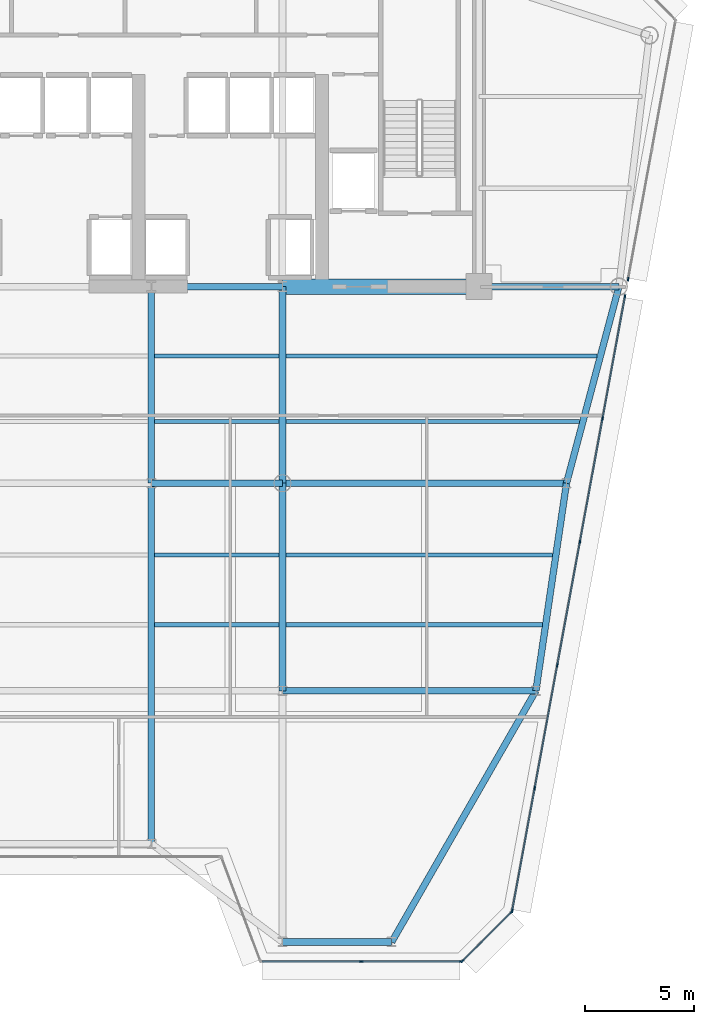
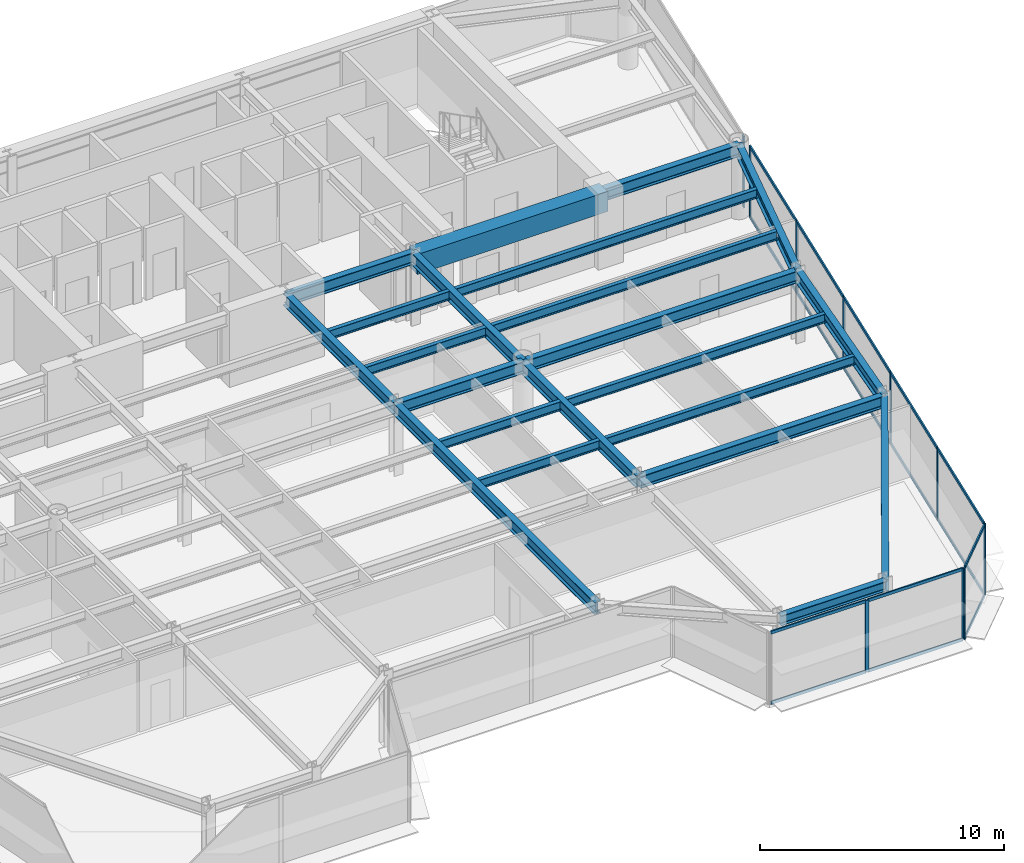
# One storey, part 6 of 16: 27 members, 22 beams, 4 elements without a shape of their own.
"""IFC4 building model written with IfcOpenShell, lengths in metres."""

from ifc_helpers import new_model, si_unit, direction, frame, origin, origin_2d, place, context, subcontext, project, spatial, rectangle, i_section, extrude, source, transform, mapped, material, layer, layer_set, material_profile, profile_set, type_object, element, aggregate, save


model = new_model("IFC4")

# Units and contexts
model_context = context("Model", 3, precision=1e-05, world=origin(), true_north=direction((0.0, 1.0)))
body_context = subcontext(model_context, "Body", "Model", "MODEL_VIEW")
ifc_project = project(units=[si_unit("LENGTHUNIT", "METRE"), si_unit("AREAUNIT", "SQUARE_METRE"), si_unit("VOLUMEUNIT", "CUBIC_METRE"), si_unit("PLANEANGLEUNIT", "RADIAN"), si_unit("MASSUNIT", "GRAM", prefix="KILO")], contexts=[model_context])

# Site, building, storey
site_placement = place(None, origin())
site = spatial("IfcSite", under=ifc_project, at=site_placement, CompositionType="ELEMENT")
building_placement = place(site_placement, origin())
building = spatial("IfcBuilding", under=site, at=building_placement, Name="Vaeldorn Concourse Tower", CompositionType="ELEMENT")
storey_placement = place(building_placement, frame((0.0, 0.0, 188.0)))
storey = spatial("IfcBuildingStorey", under=building, at=storey_placement, Name="L48", CompositionType="ELEMENT", Elevation=188.0)

# Beams
ifc_material_1 = material(Name="Concrete C50/60", Category="concrete")
ifc_material_profile_1 = material_profile(ifc_material_1, rectangle(XDim=0.699951171875, YDim=1.0, at=origin_2d()), Name="RC 700x1000")
ifc_profile_set_1 = profile_set([ifc_material_profile_1], Name="Concrete C50/60")
beam_type_1 = type_object("IfcBeamType", Name="BM-CB-RC700", PredefinedType="BEAM", material=ifc_profile_set_1)
shared_shape_1 = source(origin(), body_context, "Body", "SweptSolid", [
    extrude(rectangle(XDim=0.699951171875, YDim=1.0, at=origin_2d()), origin(), (0.0, 0.0, 1.0), 9.0),
])
beam_1_placement = place(storey_placement, frame((45.0, 36.5, 3.080078125), z_axis=(1.0, 0.0, 0.0), x_axis=(0.0, 1.0, 0.0)))
element("IfcBeam", 1, at=beam_1_placement, inside=storey, type_object=beam_type_1, Name="Core Coupling Beam L48-2", PredefinedType="BEAM", context=body_context, shape_type="MappedRepresentation", body=[
    mapped(shared_shape_1, transform((0.0, 0.0, 0.0), scale=1.0)),
])
ifc_material_2 = material(Name="Steel S355", Category="steel")
ifc_material_profile_2 = material_profile(ifc_material_2, i_section(OverallWidth=0.300048828125, OverallDepth=0.5, WebThickness=0.014404296875, FlangeThickness=0.028076171875, FilletRadius=0.027099609375, at=origin_2d()), Name="HEB 500")
ifc_profile_set_2 = profile_set([ifc_material_profile_2], Name="Steel S355")
beam_type_2 = type_object("IfcBeamType", Name="BM-SP-HEB500", PredefinedType="SPANDREL", material=ifc_profile_set_2)
shared_shape_2 = source(origin(), body_context, "Body", "SweptSolid", [
    extrude(i_section(OverallWidth=0.300048828125, OverallDepth=0.5, WebThickness=0.014404296875, FlangeThickness=0.028076171875, FilletRadius=0.027099609375, at=origin_2d()), origin(), (0.0, 0.0, 1.0), 5.0),
])
beam_2_placement = place(storey_placement, frame((45.0, 6.5, 3.330078125), z_axis=(1.0, 0.0, 0.0), x_axis=(0.0, 1.0, 0.0)))
element("IfcBeam", 2, at=beam_2_placement, inside=storey, type_object=beam_type_2, Name="Beam BM-L48-C-SF5-C-SF6", PredefinedType="SPANDREL", context=body_context, shape_type="MappedRepresentation", body=[
    mapped(shared_shape_2, transform((0.0, 0.0, 0.0), scale=1.0)),
])
ifc_material_profile_3 = material_profile(ifc_material_2, i_section(OverallWidth=0.18994140625, OverallDepth=0.449951171875, WebThickness=0.009521484375, FlangeThickness=0.0146484375, FilletRadius=0.02099609375, at=origin_2d()), Name="IPE 450")
ifc_profile_set_3 = profile_set([ifc_material_profile_3], Name="Steel S355")
beam_type_3 = type_object("IfcBeamType", Name="BM-JS-IPE450", PredefinedType="JOIST", material=ifc_profile_set_3)
shared_shape_3 = source(origin(), body_context, "Body", "SweptSolid", [
    extrude(i_section(OverallWidth=0.18994140625, OverallDepth=0.449951171875, WebThickness=0.009521484375, FlangeThickness=0.0146484375, FilletRadius=0.02099609375, at=origin_2d()), origin(), (0.0, 0.0, 1.0), 5.7001953125),
])
for number, where, z_axis, x_axis, name in (
    (3, (39.14990234375, 21.02001953125, 3.35498046875), (1.0, 0.0, 0.0), (0.0, 1.0, 0.0), "Beam JS-L48-E2-210"),
    (4, (39.14990234375, 24.219970703125, 3.35498046875), (1.0, 0.0, 0.0), (0.0, 1.0, 0.0), "Beam JS-L48-E2-242"),
    (5, (39.14990234375, 30.320068359375, 3.35498046875), (1.0, 0.0, 0.0), (0.0, 1.0, 0.0), "Beam JS-L48-E2-303"),
    (6, (39.14990234375, 33.320068359375, 3.35498046875), (1.0, 0.0, 0.0), (0.0, 1.0, 0.0), "Beam JS-L48-E2-333"),
):
    element("IfcBeam", number, at=place(storey_placement, frame(where, z_axis=z_axis, x_axis=x_axis)), inside=storey, type_object=beam_type_3, Name=name, PredefinedType="JOIST", context=body_context, shape_type="MappedRepresentation", body=[
        mapped(shared_shape_3, transform((0.0, 0.0, 0.0), scale=1.0)),
    ])
shared_shape_4 = source(origin(), body_context, "Body", "SweptSolid", [
    extrude(i_section(OverallWidth=0.18994140625, OverallDepth=0.449951171875, WebThickness=0.009521484375, FlangeThickness=0.0146484375, FilletRadius=0.02099609375, at=origin_2d()), origin(), (0.0, 0.0, 1.0), 11.7451171875),
])
beam_3_placement = place(storey_placement, frame((45.14990234375, 21.02001953125, 3.35498046875), z_axis=(1.0, 0.0, 0.0), x_axis=(0.0, 1.0, 0.0)))
element("IfcBeam", 7, at=beam_3_placement, inside=storey, type_object=beam_type_3, Name="Beam JS-L48-E1-210", PredefinedType="JOIST", context=body_context, shape_type="MappedRepresentation", body=[
    mapped(shared_shape_4, transform((0.0, 0.0, 0.0), scale=1.0)),
])
shared_shape_5 = source(origin(), body_context, "Body", "SweptSolid", [
    extrude(i_section(OverallWidth=0.18994140625, OverallDepth=0.449951171875, WebThickness=0.009521484375, FlangeThickness=0.0146484375, FilletRadius=0.02099609375, at=origin_2d()), origin(), (0.0, 0.0, 1.0), 12.216796875),
])
beam_4_placement = place(storey_placement, frame((45.14990234375, 24.219970703125, 3.35498046875), z_axis=(1.0, 0.0, 0.0), x_axis=(0.0, 1.0, 0.0)))
element("IfcBeam", 8, at=beam_4_placement, inside=storey, type_object=beam_type_3, Name="Beam JS-L48-E1-242", PredefinedType="JOIST", context=body_context, shape_type="MappedRepresentation", body=[
    mapped(shared_shape_5, transform((0.0, 0.0, 0.0), scale=1.0)),
])
shared_shape_6 = source(origin(), body_context, "Body", "SweptSolid", [
    extrude(i_section(OverallWidth=0.18994140625, OverallDepth=0.449951171875, WebThickness=0.009521484375, FlangeThickness=0.0146484375, FilletRadius=0.02099609375, at=origin_2d()), origin(), (0.0, 0.0, 1.0), 13.4521484375),
])
beam_5_placement = place(storey_placement, frame((45.14990234375, 30.320068359375, 3.35498046875), z_axis=(1.0, 0.0, 0.0), x_axis=(0.0, 1.0, 0.0)))
element("IfcBeam", 9, at=beam_5_placement, inside=storey, type_object=beam_type_3, Name="Beam JS-L48-E1-303", PredefinedType="JOIST", context=body_context, shape_type="MappedRepresentation", body=[
    mapped(shared_shape_6, transform((0.0, 0.0, 0.0), scale=1.0)),
])
shared_shape_7 = source(origin(), body_context, "Body", "SweptSolid", [
    extrude(i_section(OverallWidth=0.18994140625, OverallDepth=0.449951171875, WebThickness=0.009521484375, FlangeThickness=0.0146484375, FilletRadius=0.02099609375, at=origin_2d()), origin(), (0.0, 0.0, 1.0), 14.252197265625),
])
beam_6_placement = place(storey_placement, frame((45.14990234375, 33.320068359375, 3.35498046875), z_axis=(1.0, 0.0, 0.0), x_axis=(0.0, 1.0, 0.0)))
element("IfcBeam", 10, at=beam_6_placement, inside=storey, type_object=beam_type_3, Name="Beam JS-L48-E1-333", PredefinedType="JOIST", context=body_context, shape_type="MappedRepresentation", body=[
    mapped(shared_shape_7, transform((0.0, 0.0, 0.0), scale=1.0)),
])
ifc_material_profile_4 = material_profile(ifc_material_2, i_section(OverallWidth=0.300048828125, OverallDepth=0.60009765625, WebThickness=0.015380859375, FlangeThickness=0.030029296875, FilletRadius=0.027099609375, at=origin_2d()), Name="HEB 600")
ifc_profile_set_4 = profile_set([ifc_material_profile_4], Name="Steel S355")
beam_type_4 = type_object("IfcBeamType", Name="BM-PG-HEB600", PredefinedType="BEAM", material=ifc_profile_set_4)
shared_shape_8 = source(origin(), body_context, "Body", "SweptSolid", [
    extrude(i_section(OverallWidth=0.300048828125, OverallDepth=0.60009765625, WebThickness=0.015380859375, FlangeThickness=0.030029296875, FilletRadius=0.027099609375, at=origin_2d()), origin(), (0.0, 0.0, 1.0), 6.0),
])
for number, where, z_axis, x_axis, name in (
    (11, (39.0, 36.5, 3.280029296875), (1.0, 0.0, 0.0), (0.0, 1.0, 0.0), "Beam BM-L48-C-FC4-C-FC5"),
    (12, (39.0, 27.5, 3.280029296875), (1.0, 0.0, 0.0), (0.0, 1.0, 0.0), "Beam BM-L48-C-TW3-C-TW4"),
):
    element("IfcBeam", number, at=place(storey_placement, frame(where, z_axis=z_axis, x_axis=x_axis)), inside=storey, type_object=beam_type_4, Name=name, PredefinedType="BEAM", context=body_context, shape_type="MappedRepresentation", body=[
        mapped(shared_shape_8, transform((0.0, 0.0, 0.0), scale=1.0)),
    ])
shared_shape_9 = source(origin(), body_context, "Body", "SweptSolid", [
    extrude(i_section(OverallWidth=0.300048828125, OverallDepth=0.60009765625, WebThickness=0.015380859375, FlangeThickness=0.030029296875, FilletRadius=0.027099609375, at=origin_2d()), origin(), (0.0, 0.0, 1.0), 9.0),
])
for number, where, z_axis, x_axis, name in (
    (13, (39.0, 27.5, 3.280029296875), (0.0, 1.0, 0.0), (-1.0, 0.0, 0.0), "Beam BM-L48-C-TW3-C-FC4"),
    (14, (45.0, 27.5, 3.280029296875), (0.0, 1.0, 0.0), (-1.0, 0.0, 0.0), "Beam BM-L48-C-TW4-C-FC5"),
):
    element("IfcBeam", number, at=place(storey_placement, frame(where, z_axis=z_axis, x_axis=x_axis)), inside=storey, type_object=beam_type_4, Name=name, PredefinedType="BEAM", context=body_context, shape_type="MappedRepresentation", body=[
        mapped(shared_shape_9, transform((0.0, 0.0, 0.0), scale=1.0)),
    ])
shared_shape_10 = source(origin(), body_context, "Body", "SweptSolid", [
    extrude(i_section(OverallWidth=0.300048828125, OverallDepth=0.60009765625, WebThickness=0.015380859375, FlangeThickness=0.030029296875, FilletRadius=0.027099609375, at=origin_2d()), origin(), (0.0, 0.0, 1.0), 6.39990234375),
])
beam_7_placement = place(storey_placement, frame((54.0, 36.5, 3.280029296875), z_axis=(1.0, 0.0, 0.0), x_axis=(0.0, 1.0, 0.0)))
element("IfcBeam", 15, at=beam_7_placement, inside=storey, type_object=beam_type_4, Name="Beam BM-L48-C-FC6-C-NE2", PredefinedType="BEAM", context=body_context, shape_type="MappedRepresentation", body=[
    mapped(shared_shape_10, transform((0.0, 0.0, 0.0), scale=1.0)),
])
shared_shape_11 = source(origin(), body_context, "Body", "SweptSolid", [
    extrude(i_section(OverallWidth=0.300048828125, OverallDepth=0.60009765625, WebThickness=0.015380859375, FlangeThickness=0.030029296875, FilletRadius=0.027099609375, at=origin_2d()), origin(), (0.0, 0.0, 1.0), 9.314453125),
])
beam_8_placement = place(storey_placement, frame((60.39990234375, 36.5, 3.280029296875), z_axis=(-0.257652862255, -0.966237549763, 0.0), x_axis=(0.966237549763, -0.257652862255, 0.0)))
element("IfcBeam", 16, at=beam_8_placement, inside=storey, type_object=beam_type_4, Name="Beam BM-L48-C-NE2-C-FLE1", PredefinedType="BEAM", context=body_context, shape_type="MappedRepresentation", body=[
    mapped(shared_shape_11, transform((0.0, 0.0, 0.0), scale=1.0)),
])
shared_shape_12 = source(origin(), body_context, "Body", "SweptSolid", [
    extrude(i_section(OverallWidth=0.300048828125, OverallDepth=0.60009765625, WebThickness=0.015380859375, FlangeThickness=0.030029296875, FilletRadius=0.027099609375, at=origin_2d()), origin(), (0.0, 0.0, 1.0), 13.0),
])
beam_9_placement = place(storey_placement, frame((45.0, 27.5, 3.280029296875), z_axis=(1.0, 0.0, 0.0), x_axis=(0.0, 1.0, 0.0)))
element("IfcBeam", 17, at=beam_9_placement, inside=storey, type_object=beam_type_4, Name="Beam BM-L48-C-TW4-C-FLE1", PredefinedType="BEAM", context=body_context, shape_type="MappedRepresentation", body=[
    mapped(shared_shape_12, transform((0.0, 0.0, 0.0), scale=1.0)),
])
shared_shape_13 = source(origin(), body_context, "Body", "SweptSolid", [
    extrude(i_section(OverallWidth=0.300048828125, OverallDepth=0.60009765625, WebThickness=0.015380859375, FlangeThickness=0.030029296875, FilletRadius=0.027099609375, at=origin_2d()), origin(), (0.0, 0.0, 1.0), 9.6025390625),
])
beam_10_placement = place(storey_placement, frame((58.0, 27.5, 3.280029296875), z_axis=(-0.145783835977, -0.989316467652, 0.0), x_axis=(0.989316467652, -0.145783835977, 0.0)))
element("IfcBeam", 18, at=beam_10_placement, inside=storey, type_object=beam_type_4, Name="Beam BM-L48-C-FLE1-C-FLE2", PredefinedType="BEAM", context=body_context, shape_type="MappedRepresentation", body=[
    mapped(shared_shape_13, transform((0.0, 0.0, 0.0), scale=1.0)),
])
shared_shape_14 = source(origin(), body_context, "Body", "SweptSolid", [
    extrude(i_section(OverallWidth=0.300048828125, OverallDepth=0.60009765625, WebThickness=0.015380859375, FlangeThickness=0.030029296875, FilletRadius=0.027099609375, at=origin_2d()), origin(), (0.0, 0.0, 1.0), 11.60009765625),
])
beam_11_placement = place(storey_placement, frame((45.0, 18.0, 3.280029296875), z_axis=(1.0, 0.0, 0.0), x_axis=(0.0, 1.0, 0.0)))
element("IfcBeam", 19, at=beam_11_placement, inside=storey, type_object=beam_type_4, Name="Beam BM-L48-C-TW6-C-FLE2", PredefinedType="BEAM", context=body_context, shape_type="MappedRepresentation", body=[
    mapped(shared_shape_14, transform((0.0, 0.0, 0.0), scale=1.0)),
])
shared_shape_15 = source(origin(), body_context, "Body", "SweptSolid", [
    extrude(i_section(OverallWidth=0.300048828125, OverallDepth=0.60009765625, WebThickness=0.015380859375, FlangeThickness=0.030029296875, FilletRadius=0.027099609375, at=origin_2d()), origin(), (0.0, 0.0, 1.0), 9.5),
])
beam_12_placement = place(storey_placement, frame((45.0, 18.0, 3.280029296875), z_axis=(0.0, 1.0, 0.0), x_axis=(-1.0, 0.0, 0.0)))
element("IfcBeam", 20, at=beam_12_placement, inside=storey, type_object=beam_type_4, Name="Beam BM-L48-C-TW6-C-TW4", PredefinedType="BEAM", context=body_context, shape_type="MappedRepresentation", body=[
    mapped(shared_shape_15, transform((0.0, 0.0, 0.0), scale=1.0)),
])
shared_shape_16 = source(origin(), body_context, "Body", "SweptSolid", [
    extrude(i_section(OverallWidth=0.300048828125, OverallDepth=0.60009765625, WebThickness=0.015380859375, FlangeThickness=0.030029296875, FilletRadius=0.027099609375, at=origin_2d()), origin(), (0.0, 0.0, 1.0), 13.25927734375),
])
beam_13_placement = place(storey_placement, frame((50.0, 6.5, 3.280029296875), z_axis=(0.497768009943, 0.867310214558, 0.0), x_axis=(-0.867310214558, 0.497768009943, 0.0)))
element("IfcBeam", 21, at=beam_13_placement, inside=storey, type_object=beam_type_4, Name="Beam BM-L48-C-SF6-C-FLE2", PredefinedType="BEAM", context=body_context, shape_type="MappedRepresentation", body=[
    mapped(shared_shape_16, transform((0.0, 0.0, 0.0), scale=1.0)),
])
shared_shape_17 = source(origin(), body_context, "Body", "SweptSolid", [
    extrude(i_section(OverallWidth=0.300048828125, OverallDepth=0.60009765625, WebThickness=0.015380859375, FlangeThickness=0.030029296875, FilletRadius=0.027099609375, at=origin_2d()), origin(), (0.0, 0.0, 1.0), 16.5),
])
beam_14_placement = place(storey_placement, frame((39.0, 11.0, 3.280029296875), z_axis=(0.0, 1.0, 0.0), x_axis=(-1.0, 0.0, 0.0)))
element("IfcBeam", 22, at=beam_14_placement, inside=storey, type_object=beam_type_4, Name="Beam BM-L48-C-SF4-C-TW3", PredefinedType="BEAM", context=body_context, shape_type="MappedRepresentation", body=[
    mapped(shared_shape_17, transform((0.0, 0.0, 0.0), scale=1.0)),
])

# Curtain wall, members
ifc_material_3 = material(Name="Anodised Bronze Aluminium", Category="aluminium")
ifc_layer = layer(ifc_material_3, 0.18994140625)
ifc_layer_set = layer_set([ifc_layer], Name="Anodised Bronze Aluminium")
curtain_wall_type = type_object("IfcCurtainWallType", Name="CW-SYS-03", PredefinedType="NOTDEFINED", material=ifc_layer_set)
curtain_wall_1_placement = place(storey_placement, origin())
curtain_wall_1 = element("IfcCurtainWall", 23, at=curtain_wall_1_placement, inside=storey, type_object=curtain_wall_type, Name="Unitised Curtain Wall CW-L48-E05-1", PredefinedType="NOTDEFINED")
ifc_material_profile_5 = material_profile(ifc_material_3, rectangle(XDim=0.06494140625, YDim=0.169921875, at=origin_2d()), Name="CWM 65x170")
ifc_profile_set_5 = profile_set([ifc_material_profile_5], Name="Anodised Bronze Aluminium")
member_type_1 = type_object("IfcMemberType", Name="CWM-BRONZE-170", PredefinedType="MULLION", material=ifc_profile_set_5)
shared_shape_18 = source(origin(), body_context, "Body", "SweptSolid", [
    extrude(rectangle(XDim=0.06494140625, YDim=0.169921875, at=origin_2d()), origin(), (0.0, 0.0, 1.0), 3.580078125),
])
member_1_placement = place(storey_placement, frame((48.6044921875, 5.60009765625, 0.0), z_axis=(0.0, 0.0, 1.0), x_axis=(0.0, 1.0, 0.0)))
member_1 = element("IfcMember", 24, at=member_1_placement, type_object=member_type_1, Name="CW-03 mullion 2", PredefinedType="MULLION", context=body_context, shape_type="MappedRepresentation", body=[
    mapped(shared_shape_18, transform((0.0, 0.0, 0.0), scale=1.0)),
])
member_2_placement = place(storey_placement, frame((53.176513671875, 5.60009765625, 0.0), z_axis=(0.0, 0.0, 1.0), x_axis=(0.0, 1.0, 0.0)))
member_2 = element("IfcMember", 25, at=member_2_placement, type_object=member_type_1, Name="CW-03 mullion 3", PredefinedType="MULLION", context=body_context, shape_type="MappedRepresentation", body=[
    mapped(shared_shape_18, transform((0.0, 0.0, 0.0), scale=1.0)),
])

curtain_wall_2_placement = place(storey_placement, origin())
curtain_wall_2 = element("IfcCurtainWall", 26, at=curtain_wall_2_placement, inside=storey, type_object=curtain_wall_type, Name="Unitised Curtain Wall CW-L48-E06-1", PredefinedType="NOTDEFINED")
member_3_placement = place(storey_placement, frame((53.23193359375, 5.623046875, 0.0), z_axis=(0.0, 0.0, 1.0), x_axis=(-0.707106781187, 0.707106781187, 0.0)))
member_3 = element("IfcMember", 27, at=member_3_placement, type_object=member_type_1, Name="CW-03 mullion 1", PredefinedType="MULLION", context=body_context, shape_type="MappedRepresentation", body=[
    mapped(shared_shape_18, transform((0.0, 0.0, 0.0), scale=1.0)),
])
member_4_placement = place(storey_placement, frame((55.486083984375, 7.876953125, 0.0), z_axis=(0.0, 0.0, 1.0), x_axis=(-0.707106781187, 0.707106781187, 0.0)))
member_4 = element("IfcMember", 28, at=member_4_placement, type_object=member_type_1, Name="CW-03 mullion 2", PredefinedType="MULLION", context=body_context, shape_type="MappedRepresentation", body=[
    mapped(shared_shape_18, transform((0.0, 0.0, 0.0), scale=1.0)),
])

curtain_wall_3_placement = place(storey_placement, origin())
curtain_wall_3 = element("IfcCurtainWall", 29, at=curtain_wall_3_placement, inside=storey, type_object=curtain_wall_type, Name="Unitised Curtain Wall CW-L48-E07-1", PredefinedType="NOTDEFINED")
member_5_placement = place(storey_placement, frame((55.514892578125, 7.931884765625, 0.0), z_axis=(0.0, 0.0, 1.0), x_axis=(-0.983559325018, 0.180585309951, 0.0)))
member_5 = element("IfcMember", 30, at=member_5_placement, type_object=member_type_1, Name="CW-03 mullion 1", PredefinedType="MULLION", context=body_context, shape_type="MappedRepresentation", body=[
    mapped(shared_shape_18, transform((0.0, 0.0, 0.0), scale=1.0)),
])
member_6_placement = place(storey_placement, frame((56.5439453125, 13.53662109375, 0.0), z_axis=(0.0, 0.0, 1.0), x_axis=(-0.983559325018, 0.180585309951, 0.0)))
member_6 = element("IfcMember", 31, at=member_6_placement, type_object=member_type_1, Name="CW-03 mullion 2", PredefinedType="MULLION", context=body_context, shape_type="MappedRepresentation", body=[
    mapped(shared_shape_18, transform((0.0, 0.0, 0.0), scale=1.0)),
])
member_7_placement = place(storey_placement, frame((57.578857421875, 19.17333984375, 0.0), z_axis=(0.0, 0.0, 1.0), x_axis=(-0.983559325018, 0.180585309951, 0.0)))
member_7 = element("IfcMember", 32, at=member_7_placement, type_object=member_type_1, Name="CW-03 mullion 3", PredefinedType="MULLION", context=body_context, shape_type="MappedRepresentation", body=[
    mapped(shared_shape_18, transform((0.0, 0.0, 0.0), scale=1.0)),
])
member_8_placement = place(storey_placement, frame((58.61376953125, 24.81005859375, 0.0), z_axis=(0.0, 0.0, 1.0), x_axis=(-0.983559325018, 0.180585309951, 0.0)))
member_8 = element("IfcMember", 33, at=member_8_placement, type_object=member_type_1, Name="CW-03 mullion 4", PredefinedType="MULLION", context=body_context, shape_type="MappedRepresentation", body=[
    mapped(shared_shape_18, transform((0.0, 0.0, 0.0), scale=1.0)),
])
member_9_placement = place(storey_placement, frame((59.648681640625, 30.44677734375, 0.0), z_axis=(0.0, 0.0, 1.0), x_axis=(-0.983559325018, 0.180585309951, 0.0)))
member_9 = element("IfcMember", 34, at=member_9_placement, type_object=member_type_1, Name="CW-03 mullion 5", PredefinedType="MULLION", context=body_context, shape_type="MappedRepresentation", body=[
    mapped(shared_shape_18, transform((0.0, 0.0, 0.0), scale=1.0)),
])
member_10_placement = place(storey_placement, frame((60.677734375, 36.051513671875, 0.0), z_axis=(0.0, 0.0, 1.0), x_axis=(-0.983559325018, 0.180585309951, 0.0)))
member_10 = element("IfcMember", 35, at=member_10_placement, type_object=member_type_1, Name="CW-03 mullion 6", PredefinedType="MULLION", context=body_context, shape_type="MappedRepresentation", body=[
    mapped(shared_shape_18, transform((0.0, 0.0, 0.0), scale=1.0)),
])

# Curtain wall, member
curtain_wall_4_placement = place(storey_placement, origin())
curtain_wall_4 = element("IfcCurtainWall", 36, at=curtain_wall_4_placement, inside=storey, type_object=curtain_wall_type, Name="Unitised Curtain Wall CW-L48-E07-2", PredefinedType="NOTDEFINED")
member_11_placement = place(storey_placement, frame((60.822265625, 36.83935546875, 0.0), z_axis=(0.0, 0.0, 1.0), x_axis=(-0.983559459619, 0.180584576845, 0.0)))
member_11 = element("IfcMember", 37, at=member_11_placement, type_object=member_type_1, Name="CW-03 mullion 1", PredefinedType="MULLION", context=body_context, shape_type="MappedRepresentation", body=[
    mapped(shared_shape_18, transform((0.0, 0.0, 0.0), scale=1.0)),
])
aggregate(curtain_wall_4, [member_11])

# Member
ifc_material_profile_6 = material_profile(ifc_material_3, rectangle(XDim=0.06494140625, YDim=0.14990234375, at=origin_2d()), Name="CWT 65x150")
ifc_profile_set_6 = profile_set([ifc_material_profile_6], Name="Anodised Bronze Aluminium")
member_type_2 = type_object("IfcMemberType", Name="CWT-BRONZE-150", PredefinedType="USERDEFINED", material=ifc_profile_set_6)
shared_shape_19 = source(origin(), body_context, "Body", "SweptSolid", [
    extrude(rectangle(XDim=0.06494140625, YDim=0.14990234375, at=origin_2d()), origin(), (0.0, 0.0, 1.0), 3.122802734375),
])
member_12_placement = place(storey_placement, frame((53.2548828125, 5.64599609375, 0.032470703125), z_axis=(0.707145870536, 0.707067689676, 0.0), x_axis=(-0.707067689676, 0.707145870536, 0.0)))
member_12 = element("IfcMember", 38, at=member_12_placement, type_object=member_type_2, Name="CW-03 transom 1.1", ObjectType="TRANSOM", PredefinedType="USERDEFINED", context=body_context, shape_type="MappedRepresentation", body=[
    mapped(shared_shape_19, transform((0.0, 0.0, 0.0), scale=1.0)),
])

member_13_placement = place(storey_placement, frame((53.2548828125, 5.64599609375, 3.547607421875), z_axis=(0.707145870536, 0.707067689676, 0.0), x_axis=(-0.707067689676, 0.707145870536, 0.0)))
member_13 = element("IfcMember", 39, at=member_13_placement, type_object=member_type_2, Name="CW-03 transom 1.2", ObjectType="TRANSOM", PredefinedType="USERDEFINED", context=body_context, shape_type="MappedRepresentation", body=[
    mapped(shared_shape_19, transform((0.0, 0.0, 0.0), scale=1.0)),
])

aggregate(curtain_wall_2, [member_3, member_4, member_12, member_13])

shared_shape_20 = source(origin(), body_context, "Body", "SweptSolid", [
    extrude(rectangle(XDim=0.06494140625, YDim=0.14990234375, at=origin_2d()), origin(), (0.0, 0.0, 1.0), 5.63330078125),
])
member_14_placement = place(storey_placement, frame((55.520751953125, 7.9638671875, 0.032470703125), z_axis=(0.180589917692, 0.983558479008, 0.0), x_axis=(-0.983558479008, 0.180589917692, 0.0)))
member_14 = element("IfcMember", 40, at=member_14_placement, type_object=member_type_2, Name="CW-03 transom 1.1", ObjectType="TRANSOM", PredefinedType="USERDEFINED", context=body_context, shape_type="MappedRepresentation", body=[
    mapped(shared_shape_20, transform((0.0, 0.0, 0.0), scale=1.0)),
])

member_15_placement = place(storey_placement, frame((55.520751953125, 7.9638671875, 3.547607421875), z_axis=(0.180589917692, 0.983558479008, 0.0), x_axis=(-0.983558479008, 0.180589917692, 0.0)))
member_15 = element("IfcMember", 41, at=member_15_placement, type_object=member_type_2, Name="CW-03 transom 1.2", ObjectType="TRANSOM", PredefinedType="USERDEFINED", context=body_context, shape_type="MappedRepresentation", body=[
    mapped(shared_shape_20, transform((0.0, 0.0, 0.0), scale=1.0)),
])

member_16_placement = place(storey_placement, frame((59.654541015625, 30.478759765625, 0.032470703125), z_axis=(0.180589917692, 0.983558479008, 0.0), x_axis=(-0.983558479008, 0.180589917692, 0.0)))
member_16 = element("IfcMember", 42, at=member_16_placement, type_object=member_type_2, Name="CW-03 transom 5.1", ObjectType="TRANSOM", PredefinedType="USERDEFINED", context=body_context, shape_type="MappedRepresentation", body=[
    mapped(shared_shape_20, transform((0.0, 0.0, 0.0), scale=1.0)),
])

member_17_placement = place(storey_placement, frame((59.654541015625, 30.478759765625, 3.547607421875), z_axis=(0.180589917692, 0.983558479008, 0.0), x_axis=(-0.983558479008, 0.180589917692, 0.0)))
member_17 = element("IfcMember", 43, at=member_17_placement, type_object=member_type_2, Name="CW-03 transom 5.2", ObjectType="TRANSOM", PredefinedType="USERDEFINED", context=body_context, shape_type="MappedRepresentation", body=[
    mapped(shared_shape_20, transform((0.0, 0.0, 0.0), scale=1.0)),
])

shared_shape_21 = source(origin(), body_context, "Body", "SweptSolid", [
    extrude(rectangle(XDim=0.06494140625, YDim=0.14990234375, at=origin_2d()), origin(), (0.0, 0.0, 1.0), 5.666015625),
])
member_18_placement = place(storey_placement, frame((56.5498046875, 13.568603515625, 0.032470703125), z_axis=(0.180587719149, 0.983558882677, 0.0), x_axis=(-0.983558882677, 0.180587719149, 0.0)))
member_18 = element("IfcMember", 44, at=member_18_placement, type_object=member_type_2, Name="CW-03 transom 2.1", ObjectType="TRANSOM", PredefinedType="USERDEFINED", context=body_context, shape_type="MappedRepresentation", body=[
    mapped(shared_shape_21, transform((0.0, 0.0, 0.0), scale=1.0)),
])

member_19_placement = place(storey_placement, frame((56.5498046875, 13.568603515625, 3.547607421875), z_axis=(0.180587719149, 0.983558882677, 0.0), x_axis=(-0.983558882677, 0.180587719149, 0.0)))
member_19 = element("IfcMember", 45, at=member_19_placement, type_object=member_type_2, Name="CW-03 transom 2.2", ObjectType="TRANSOM", PredefinedType="USERDEFINED", context=body_context, shape_type="MappedRepresentation", body=[
    mapped(shared_shape_21, transform((0.0, 0.0, 0.0), scale=1.0)),
])

member_20_placement = place(storey_placement, frame((57.584716796875, 19.205322265625, 0.032470703125), z_axis=(0.180587719149, 0.983558882677, 0.0), x_axis=(-0.983558882677, 0.180587719149, 0.0)))
member_20 = element("IfcMember", 46, at=member_20_placement, type_object=member_type_2, Name="CW-03 transom 3.1", ObjectType="TRANSOM", PredefinedType="USERDEFINED", context=body_context, shape_type="MappedRepresentation", body=[
    mapped(shared_shape_21, transform((0.0, 0.0, 0.0), scale=1.0)),
])

member_21_placement = place(storey_placement, frame((57.584716796875, 19.205322265625, 3.547607421875), z_axis=(0.180587719149, 0.983558882677, 0.0), x_axis=(-0.983558882677, 0.180587719149, 0.0)))
member_21 = element("IfcMember", 47, at=member_21_placement, type_object=member_type_2, Name="CW-03 transom 3.2", ObjectType="TRANSOM", PredefinedType="USERDEFINED", context=body_context, shape_type="MappedRepresentation", body=[
    mapped(shared_shape_21, transform((0.0, 0.0, 0.0), scale=1.0)),
])

member_22_placement = place(storey_placement, frame((58.61962890625, 24.842041015625, 0.032470703125), z_axis=(0.180587719149, 0.983558882677, 0.0), x_axis=(-0.983558882677, 0.180587719149, 0.0)))
member_22 = element("IfcMember", 48, at=member_22_placement, type_object=member_type_2, Name="CW-03 transom 4.1", ObjectType="TRANSOM", PredefinedType="USERDEFINED", context=body_context, shape_type="MappedRepresentation", body=[
    mapped(shared_shape_21, transform((0.0, 0.0, 0.0), scale=1.0)),
])

member_23_placement = place(storey_placement, frame((58.61962890625, 24.842041015625, 3.547607421875), z_axis=(0.180587719149, 0.983558882677, 0.0), x_axis=(-0.983558882677, 0.180587719149, 0.0)))
member_23 = element("IfcMember", 49, at=member_23_placement, type_object=member_type_2, Name="CW-03 transom 4.2", ObjectType="TRANSOM", PredefinedType="USERDEFINED", context=body_context, shape_type="MappedRepresentation", body=[
    mapped(shared_shape_21, transform((0.0, 0.0, 0.0), scale=1.0)),
])

aggregate(curtain_wall_3, [member_5, member_6, member_7, member_8, member_9, member_10, member_14, member_15, member_18, member_19, member_20, member_21, member_22, member_23, member_16, member_17])

shared_shape_22 = source(origin(), body_context, "Body", "SweptSolid", [
    extrude(rectangle(XDim=0.06494140625, YDim=0.14990234375, at=origin_2d()), origin(), (0.0, 0.0, 1.0), 4.507080078125),
])
member_24_placement = place(storey_placement, frame((44.06494140625, 5.60009765625, 0.032470703125), z_axis=(1.0, 0.0, 0.0), x_axis=(0.0, 1.0, 0.0)))
member_24 = element("IfcMember", 50, at=member_24_placement, type_object=member_type_2, Name="CW-03 transom 1.1", ObjectType="TRANSOM", PredefinedType="USERDEFINED", context=body_context, shape_type="MappedRepresentation", body=[
    mapped(shared_shape_22, transform((0.0, 0.0, 0.0), scale=1.0)),
])

member_25_placement = place(storey_placement, frame((44.06494140625, 5.60009765625, 3.547607421875), z_axis=(1.0, 0.0, 0.0), x_axis=(0.0, 1.0, 0.0)))
member_25 = element("IfcMember", 51, at=member_25_placement, type_object=member_type_2, Name="CW-03 transom 1.2", ObjectType="TRANSOM", PredefinedType="USERDEFINED", context=body_context, shape_type="MappedRepresentation", body=[
    mapped(shared_shape_22, transform((0.0, 0.0, 0.0), scale=1.0)),
])

member_26_placement = place(storey_placement, frame((48.636962890625, 5.60009765625, 0.032470703125), z_axis=(1.0, 0.0, 0.0), x_axis=(0.0, 1.0, 0.0)))
member_26 = element("IfcMember", 52, at=member_26_placement, type_object=member_type_2, Name="CW-03 transom 2.1", ObjectType="TRANSOM", PredefinedType="USERDEFINED", context=body_context, shape_type="MappedRepresentation", body=[
    mapped(shared_shape_22, transform((0.0, 0.0, 0.0), scale=1.0)),
])

member_27_placement = place(storey_placement, frame((48.636962890625, 5.60009765625, 3.547607421875), z_axis=(1.0, 0.0, 0.0), x_axis=(0.0, 1.0, 0.0)))
member_27 = element("IfcMember", 53, at=member_27_placement, type_object=member_type_2, Name="CW-03 transom 2.2", ObjectType="TRANSOM", PredefinedType="USERDEFINED", context=body_context, shape_type="MappedRepresentation", body=[
    mapped(shared_shape_22, transform((0.0, 0.0, 0.0), scale=1.0)),
])

aggregate(curtain_wall_1, [member_1, member_2, member_24, member_25, member_26, member_27])

save(model, "model.ifc")
